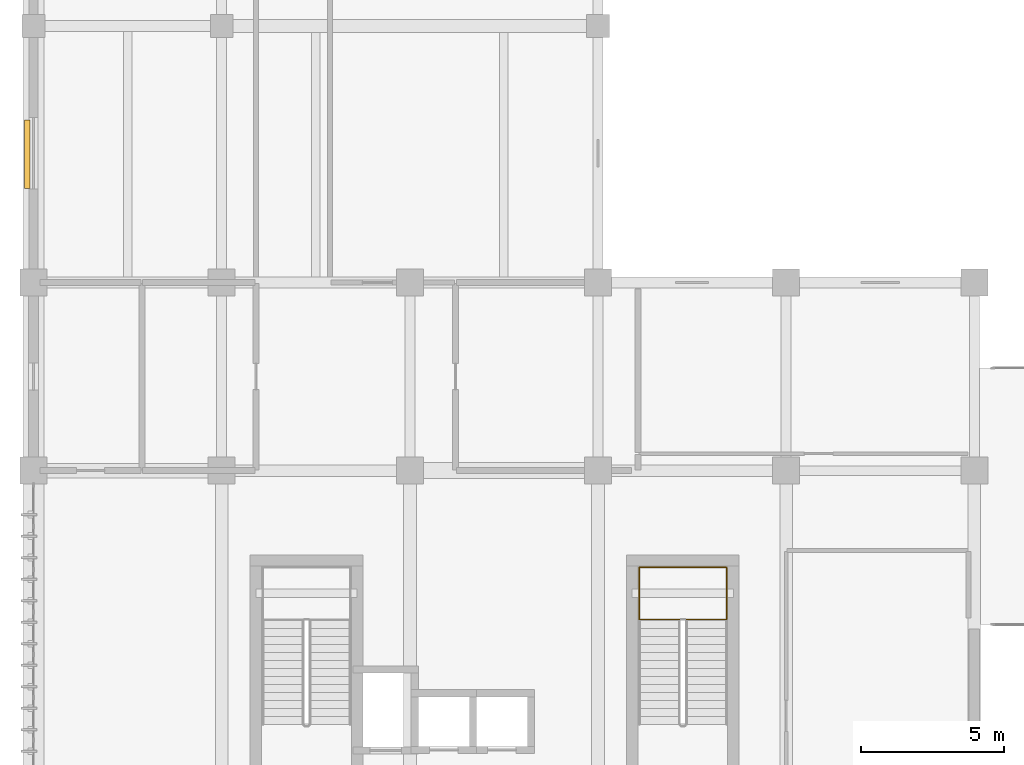
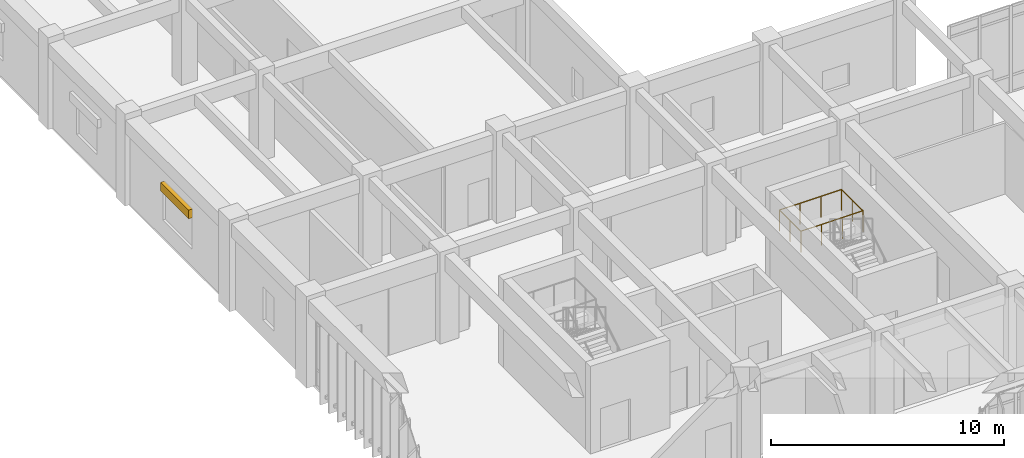
# One storey, part 59 of 65: 2 railings, 1 shading device.
"""IFC4 building model written with IfcOpenShell, lengths in metres."""

from ifc_helpers import new_model, si_unit, direction, frame, origin, origin_2d, place, context, subcontext, project, spatial, rectangle, circle, extrude, material, layer, layer_set, type_object, element, save


model = new_model("IFC4")

# Units and contexts
model_context = context("Model", 3, precision=1e-05, world=origin(), true_north=direction((0.0, 1.0)))
body_context = subcontext(model_context, "Body", "Model", "MODEL_VIEW")
ifc_project = project(units=[si_unit("LENGTHUNIT", "METRE"), si_unit("AREAUNIT", "SQUARE_METRE"), si_unit("VOLUMEUNIT", "CUBIC_METRE"), si_unit("PLANEANGLEUNIT", "RADIAN"), si_unit("MASSUNIT", "GRAM", prefix="KILO")], contexts=[model_context])

# Site, building, storey
site_placement = place(None, origin())
site = spatial("IfcSite", under=ifc_project, at=site_placement, CompositionType="ELEMENT")
building_placement = place(site_placement, origin())
building = spatial("IfcBuilding", under=site, at=building_placement, Name="Miralva Faculty of Natural Sciences", CompositionType="ELEMENT")
storey_placement = place(building_placement, frame((0.0, 0.0, 10.199951171875)))
storey = spatial("IfcBuildingStorey", under=building, at=storey_placement, Name="L02", CompositionType="ELEMENT", Elevation=10.199951171875)

# Railings
ifc_material_1 = material(Name="Steel S355", Category="steel")
railing_type = type_object("IfcRailingType", Name="RL-GR01", PredefinedType="GUARDRAIL", material=ifc_material_1)
railing_1_placement = place(storey_placement, frame((24.239990234375, 18.179931640625, 2.400146484375)))
element("IfcRailing", 1, at=railing_1_placement, inside=storey, type_object=railing_type, Name="Stair Core C1B half-landing guard L02-1A", PredefinedType="GUARDRAIL", context=body_context, shape_type="SweptSolid", body=[
    extrude(circle(Radius=0.02392578125, at=origin_2d()), frame((0.0, 0.0, 1.09619140625), z_axis=(0.0, 1.0, 0.0), x_axis=(-1.0, 0.0, 0.0)), (0.0, 0.0, 1.0), 1.830078125),
    extrude(circle(Radius=0.02392578125, at=origin_2d()), frame((0.0, 1.830078125, 1.09619140625), z_axis=(1.0, 0.0, 0.0), x_axis=(0.0, 1.0, 0.0)), (0.0, 0.0, 1.0), 3.070068359375),
    extrude(circle(Radius=0.02099609375, at=origin_2d()), origin(), (0.0, 0.0, 1.0), 1.072021484375),
    extrude(circle(Radius=0.02099609375, at=origin_2d()), frame((0.0, 0.9150390625, 0.0)), (0.0, 0.0, 1.0), 1.072021484375),
    extrude(circle(Radius=0.02099609375, at=origin_2d()), frame((0.0, 1.830078125, 0.0)), (0.0, 0.0, 1.0), 1.072021484375),
    extrude(circle(Radius=0.02099609375, at=origin_2d()), frame((1.0234375, 1.830078125, 0.0)), (0.0, 0.0, 1.0), 1.072021484375),
    extrude(circle(Radius=0.02099609375, at=origin_2d()), frame((2.046630859375, 1.830078125, 0.0)), (0.0, 0.0, 1.0), 1.072021484375),
    extrude(circle(Radius=0.02099609375, at=origin_2d()), frame((3.070068359375, 1.830078125, 0.0)), (0.0, 0.0, 1.0), 1.072021484375),
])
railing_2_placement = place(storey_placement, frame((27.31005859375, 20.010009765625, 2.400146484375)))
element("IfcRailing", 2, at=railing_2_placement, inside=storey, type_object=railing_type, Name="Stair Core C1B half-landing guard L02-1B", PredefinedType="GUARDRAIL", context=body_context, shape_type="SweptSolid", body=[
    extrude(circle(Radius=0.02392578125, at=origin_2d()), frame((0.0, 0.0, 1.09619140625), z_axis=(0.0, -1.0, 0.0), x_axis=(1.0, 0.0, 0.0)), (0.0, 0.0, 1.0), 1.830078125),
    extrude(circle(Radius=0.02392578125, at=origin_2d()), frame((0.0, -1.830078125, 1.09619140625), z_axis=(-1.0, 0.0, 0.0), x_axis=(0.0, -1.0, 0.0)), (0.0, 0.0, 1.0), 3.070068359375),
    extrude(circle(Radius=0.02099609375, at=origin_2d()), origin(), (0.0, 0.0, 1.0), 1.072021484375),
    extrude(circle(Radius=0.02099609375, at=origin_2d()), frame((0.0, -0.9150390625, 0.0)), (0.0, 0.0, 1.0), 1.072021484375),
    extrude(circle(Radius=0.02099609375, at=origin_2d()), frame((0.0, -1.830078125, 0.0)), (0.0, 0.0, 1.0), 1.072021484375),
    extrude(circle(Radius=0.02099609375, at=origin_2d()), frame((-1.0234375, -1.830078125, 0.0)), (0.0, 0.0, 1.0), 1.072021484375),
    extrude(circle(Radius=0.02099609375, at=origin_2d()), frame((-2.046630859375, -1.830078125, 0.0)), (0.0, 0.0, 1.0), 1.072021484375),
    extrude(circle(Radius=0.02099609375, at=origin_2d()), frame((-3.070068359375, -1.830078125, 0.0)), (0.0, 0.0, 1.0), 1.072021484375),
])

# Shading device
ifc_material_2 = material(Name="Anodised aluminium", Category="aluminium")
ifc_layer = layer(ifc_material_2, 0.1201171875, Name="SHD-SH01")
ifc_layer_set = layer_set([ifc_layer], Name="Anodised aluminium")
shading_device_type = type_object("IfcShadingDeviceType", Name="SHD-SH01", PredefinedType="SHUTTER", material=ifc_layer_set)
shading_device_placement = place(storey_placement, frame((2.780029296875, 34.5, 2.52490234375), z_axis=(0.0, 0.0, 1.0), x_axis=(1.0, 0.0, 0.0)))
element("IfcShadingDevice", 3, at=shading_device_placement, inside=storey, type_object=shading_device_type, Name="West laboratory sun-shutter L02-1", PredefinedType="SHUTTER", context=body_context, shape_type="SweptSolid", body=[
    extrude(rectangle(XDim=0.199951171875, YDim=2.39990234375, at=origin_2d()), origin(), (0.0, 0.0, 1.0), 0.449951171875),
])

save(model, "model.ifc")
